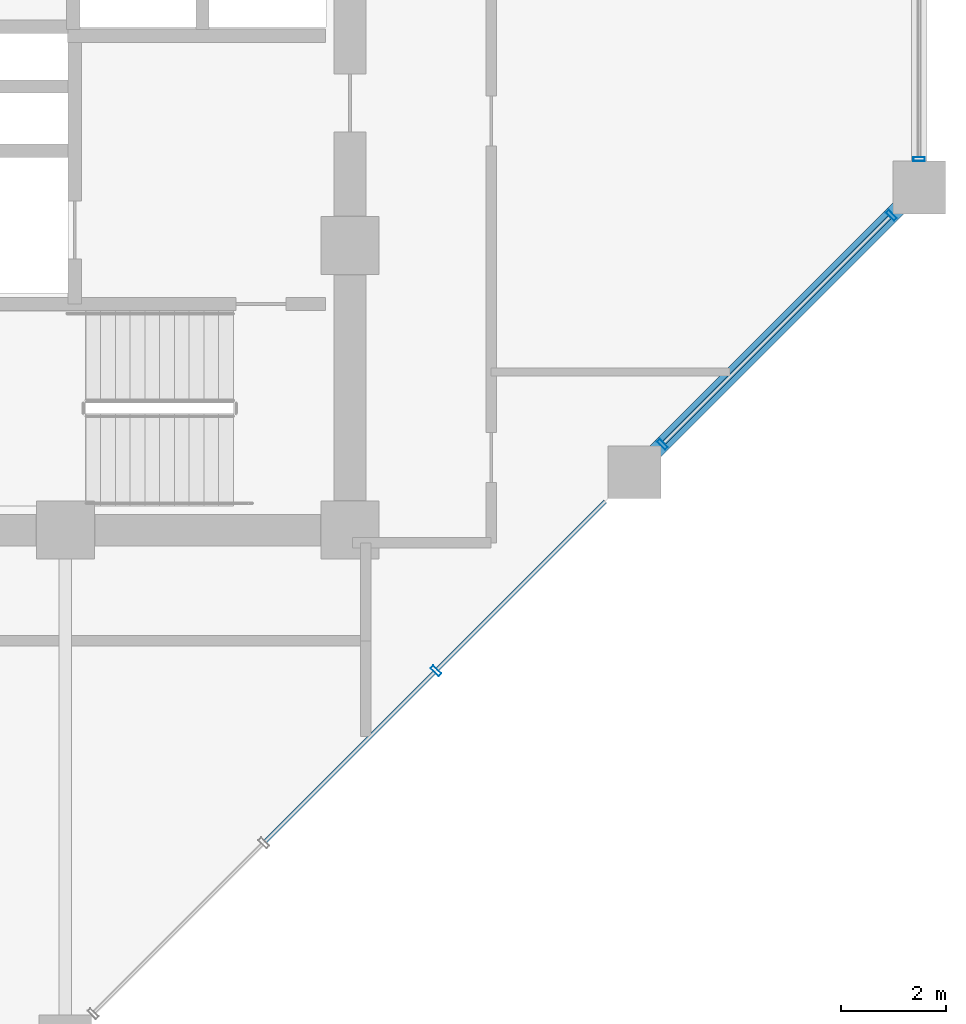
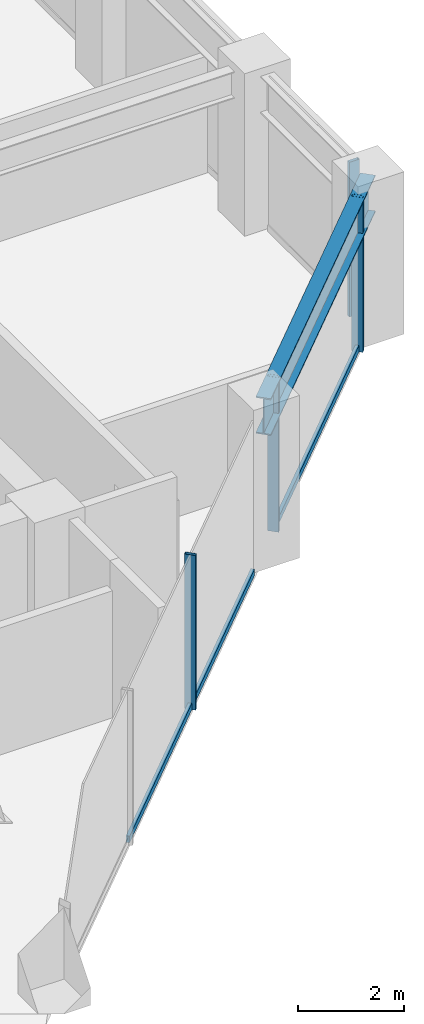
# One storey, part 8 of 23: 7 members, 1 beam, 2 elements without a shape of their own.
"""IFC4 building model written with IfcOpenShell, lengths in metres."""

from ifc_helpers import new_model, si_unit, direction, frame, origin, origin_2d, place, context, subcontext, project, spatial, hollow_rectangle, i_section, extrude, material, layer, layer_set, material_profile, profile_set, type_object, element, aggregate, save


model = new_model("IFC4")

# Units and contexts
model_context = context("Model", 3, precision=1e-05, world=origin(), true_north=direction((0.0, 1.0)))
body_context = subcontext(model_context, "Body", "Model", "MODEL_VIEW")
ifc_project = project(units=[si_unit("LENGTHUNIT", "METRE"), si_unit("AREAUNIT", "SQUARE_METRE"), si_unit("VOLUMEUNIT", "CUBIC_METRE"), si_unit("PLANEANGLEUNIT", "RADIAN"), si_unit("MASSUNIT", "GRAM", prefix="KILO")], contexts=[model_context])

# Site, building, storey
site_placement = place(None, origin())
site = spatial("IfcSite", under=ifc_project, at=site_placement, CompositionType="ELEMENT")
building_placement = place(site_placement, origin())
building = spatial("IfcBuilding", under=site, at=building_placement, Name="Surkhivell Harbour Commons", CompositionType="ELEMENT")
storey_placement = place(building_placement, frame((0.0, 0.0, 135.75)))
storey = spatial("IfcBuildingStorey", under=building, at=storey_placement, Name="L35", CompositionType="ELEMENT", Elevation=135.75)

# Beam
ifc_material_1 = material(Name="Steel S460", Category="steel")
ifc_material_profile_1 = material_profile(ifc_material_1, i_section(OverallWidth=0.2939453125, OverallDepth=0.85107421875, WebThickness=0.01611328125, FlangeThickness=0.02685546875, at=origin_2d()), Name="UB838x292x226")
ifc_profile_set_1 = profile_set([ifc_material_profile_1], Name="Steel S460")
beam_type = type_object("IfcBeamType", Name="BM-SPN-838", PredefinedType="SPANDREL", material=ifc_profile_set_1)
beam_placement = place(storey_placement, frame((16.199951171875, -9.699951171875, 3.14453125), z_axis=(0.707122765516, 0.707090796496, 0.0), x_axis=(-0.707090796496, 0.707122765516, 0.0)))
element("IfcBeam", 1, at=beam_placement, inside=storey, type_object=beam_type, Name="L35 Tube Spandrel (16.2,-9.7)", PredefinedType="SPANDREL", context=body_context, shape_type="SweptSolid", body=[
    extrude(i_section(OverallWidth=0.2939453125, OverallDepth=0.85107421875, WebThickness=0.01611328125, FlangeThickness=0.02685546875, at=origin_2d()), origin(), (0.0, 0.0, 1.0), 7.63671875),
])

# Curtain wall, members
ifc_material_2 = material(Name="Anodised pale-metal aluminium and insulated glazing", Category="aluminium")
ifc_layer = layer(ifc_material_2, 0.205078125)
ifc_layer_set = layer_set([ifc_layer], Name="Anodised pale-metal aluminium and insulated glazing")
curtain_wall_type = type_object("IfcCurtainWallType", Name="CW-SYS-Z2", PredefinedType="NOTDEFINED", material=ifc_layer_set)
curtain_wall_1_placement = place(storey_placement, origin())
curtain_wall_1 = element("IfcCurtainWall", 2, at=curtain_wall_1_placement, inside=storey, type_object=curtain_wall_type, Name="L35 Curtain Wall CW-L35-E01", PredefinedType="NOTDEFINED")
ifc_material_3 = material(Name="Anodised pale-metal aluminium alloy 6063-T6", Category="aluminium")
ifc_material_profile_2 = material_profile(ifc_material_3, hollow_rectangle(XDim=0.074951171875, YDim=0.219970703125, WallThickness=0.00390625, at=origin_2d()), Name="ALU-MULL-75x220")
ifc_profile_set_2 = profile_set([ifc_material_profile_2], Name="Anodised pale-metal aluminium alloy 6063-T6")
member_type_1 = type_object("IfcMemberType", Name="CWM-220", PredefinedType="MULLION", material=ifc_profile_set_2)
member_1_placement = place(storey_placement, frame((12.432861328125, -13.46728515625, 0.0), z_axis=(0.0, 0.0, 1.0), x_axis=(0.707106781187, 0.707106781187, 0.0)))
member_1 = element("IfcMember", 3, at=member_1_placement, type_object=member_type_1, Name="CW-Z2 mullion 4", PredefinedType="MULLION", context=body_context, shape_type="SweptSolid", body=[
    extrude(hollow_rectangle(XDim=0.074951171875, YDim=0.219970703125, WallThickness=0.00390625, at=origin_2d()), origin(), (0.0, 0.0, 1.0), 3.570068359375),
])
member_2_placement = place(storey_placement, frame((16.728271484375, -9.171875, 0.0), z_axis=(0.0, 0.0, 1.0), x_axis=(0.707106781187, 0.707106781187, 0.0)))
member_2 = element("IfcMember", 4, at=member_2_placement, type_object=member_type_1, Name="CW-Z2 mullion 5", PredefinedType="MULLION", context=body_context, shape_type="SweptSolid", body=[
    extrude(hollow_rectangle(XDim=0.074951171875, YDim=0.219970703125, WallThickness=0.00390625, at=origin_2d()), origin(), (0.0, 0.0, 1.0), 3.570068359375),
])
member_3_placement = place(storey_placement, frame((21.07177734375, -4.828125, 0.0), z_axis=(0.0, 0.0, 1.0), x_axis=(0.707106781187, 0.707106781187, 0.0)))
member_3 = element("IfcMember", 5, at=member_3_placement, type_object=member_type_1, Name="CW-Z2 mullion 6", PredefinedType="MULLION", context=body_context, shape_type="SweptSolid", body=[
    extrude(hollow_rectangle(XDim=0.074951171875, YDim=0.219970703125, WallThickness=0.00390625, at=origin_2d()), origin(), (0.0, 0.0, 1.0), 3.570068359375),
])

# Curtain wall, member
curtain_wall_2_placement = place(storey_placement, origin())
curtain_wall_2 = element("IfcCurtainWall", 6, at=curtain_wall_2_placement, inside=storey, type_object=curtain_wall_type, Name="L35 Curtain Wall CW-L35-E02", PredefinedType="NOTDEFINED")
member_4_placement = place(storey_placement, frame((21.60009765625, -3.760498046875, 0.0), z_axis=(0.0, 0.0, 1.0), x_axis=(0.0, 1.0, 0.0)))
member_4 = element("IfcMember", 7, at=member_4_placement, type_object=member_type_1, Name="CW-Z2 mullion 1", PredefinedType="MULLION", context=body_context, shape_type="SweptSolid", body=[
    extrude(hollow_rectangle(XDim=0.074951171875, YDim=0.219970703125, WallThickness=0.00390625, at=origin_2d()), origin(), (0.0, 0.0, 1.0), 3.570068359375),
])
aggregate(curtain_wall_2, [member_4])

# Member
ifc_material_profile_3 = material_profile(ifc_material_3, hollow_rectangle(XDim=0.074951171875, YDim=0.14990234375, WallThickness=0.00341796875, at=origin_2d()), Name="ALU-TRAN-75x150")
ifc_profile_set_3 = profile_set([ifc_material_profile_3], Name="Anodised pale-metal aluminium alloy 6063-T6")
member_type_2 = type_object("IfcMemberType", Name="CWT-150", PredefinedType="USERDEFINED", material=ifc_profile_set_3)
member_5_placement = place(storey_placement, frame((9.19384765625, -16.706298828125, 0.074951171875), z_axis=(0.707079911854, 0.707133649498, 0.0), x_axis=(-0.707133649498, 0.707079911854, 0.0)))
member_5 = element("IfcMember", 8, at=member_5_placement, type_object=member_type_2, Name="CW-Z2 transom 3.1", ObjectType="TRANSOM", PredefinedType="USERDEFINED", context=body_context, shape_type="SweptSolid", body=[
    extrude(hollow_rectangle(XDim=0.074951171875, YDim=0.14990234375, WallThickness=0.00341796875, at=origin_2d()), origin(), (0.0, 0.0, 1.0), 4.543212890625),
])

member_6_placement = place(storey_placement, frame((12.459228515625, -13.440673828125, 0.074951171875), z_axis=(0.707106781187, 0.707106781187, 0.0), x_axis=(-0.707106781187, 0.707106781187, 0.0)))
member_6 = element("IfcMember", 9, at=member_6_placement, type_object=member_type_2, Name="CW-Z2 transom 4.1", ObjectType="TRANSOM", PredefinedType="USERDEFINED", context=body_context, shape_type="SweptSolid", body=[
    extrude(hollow_rectangle(XDim=0.074951171875, YDim=0.14990234375, WallThickness=0.00341796875, at=origin_2d()), origin(), (0.0, 0.0, 1.0), 4.505615234375),
])

member_7_placement = place(storey_placement, frame((16.754638671875, -9.145263671875, 0.074951171875), z_axis=(0.707106781187, 0.707106781187, 0.0), x_axis=(-0.707106781187, 0.707106781187, 0.0)))
member_7 = element("IfcMember", 10, at=member_7_placement, type_object=member_type_2, Name="CW-Z2 transom 5.1", ObjectType="TRANSOM", PredefinedType="USERDEFINED", context=body_context, shape_type="SweptSolid", body=[
    extrude(hollow_rectangle(XDim=0.074951171875, YDim=0.14990234375, WallThickness=0.00341796875, at=origin_2d()), origin(), (0.0, 0.0, 1.0), 6.067626953125),
])

aggregate(curtain_wall_1, [member_1, member_5, member_6, member_2, member_3, member_7])

save(model, "model.ifc")
